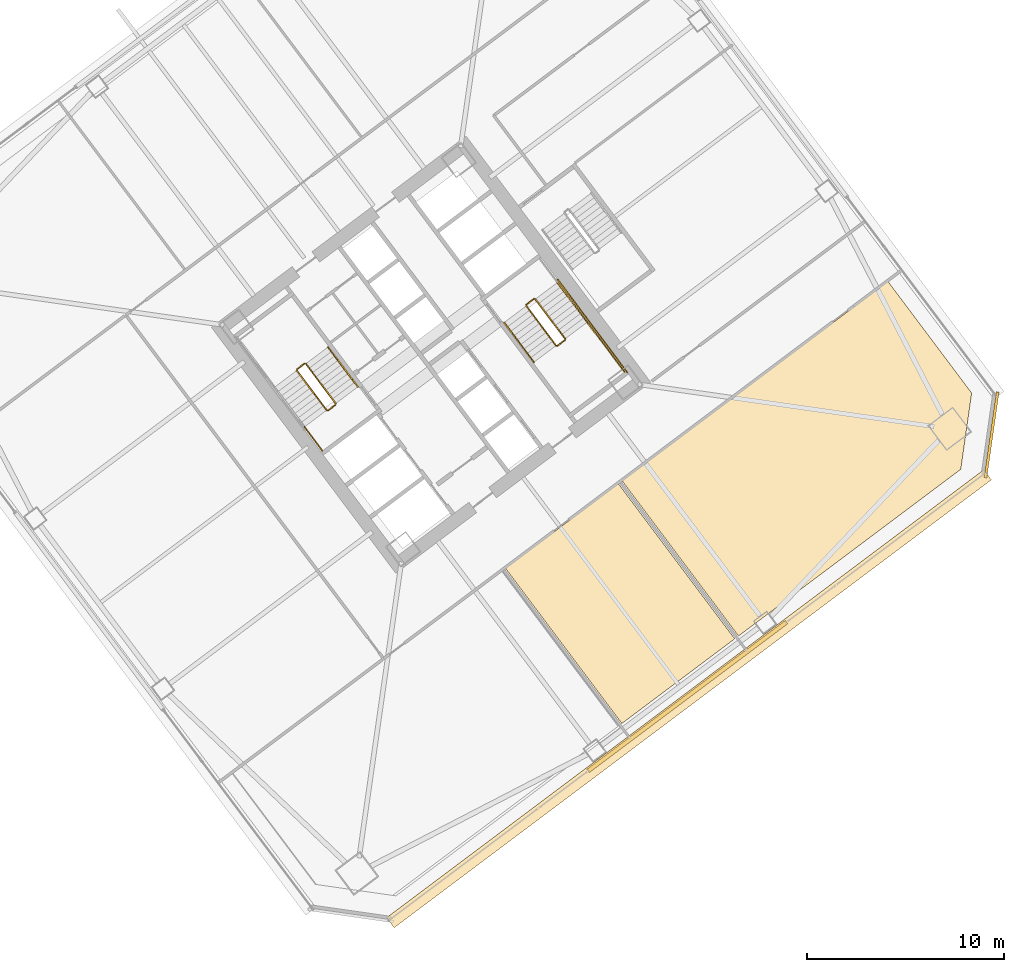
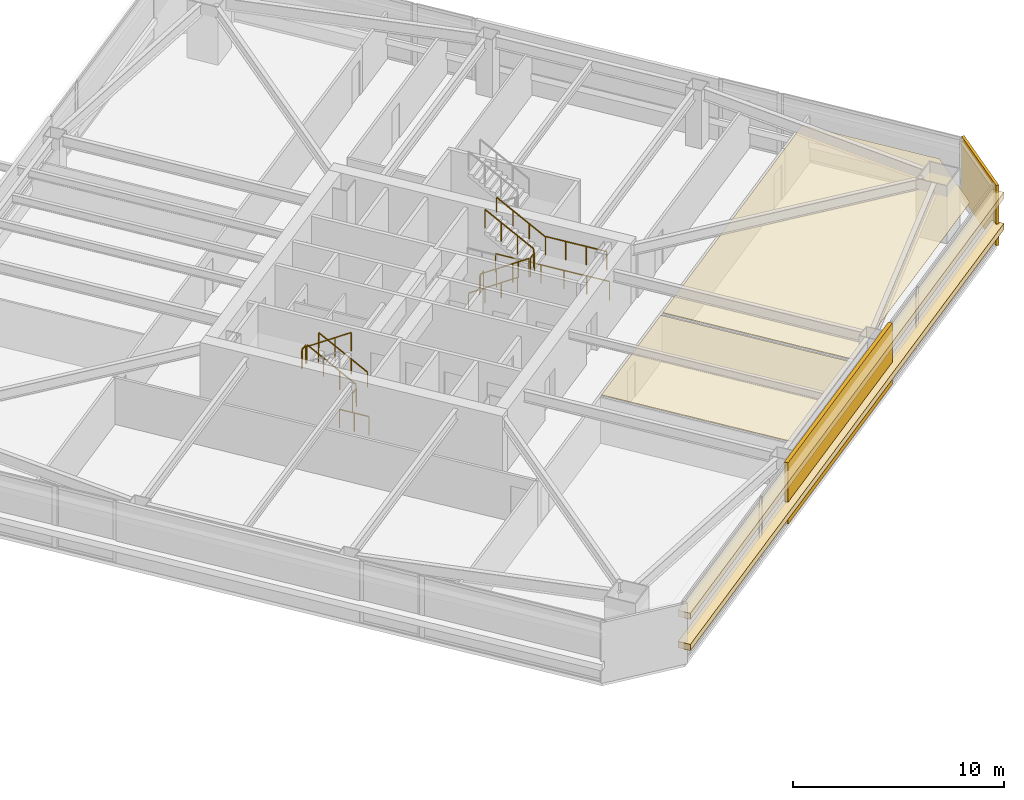
# One storey, part 44 of 46: 14 railings, 6 coverings.
"""IFC4 building model written with IfcOpenShell, lengths in metres."""

from ifc_helpers import new_model, si_unit, direction, frame, origin, origin_2d, place, context, subcontext, project, spatial, polyline, rectangle, outline, extrude, material, layer, layer_set, type_object, element, save


model = new_model("IFC4")

# Units and contexts
model_context = context("Model", 3, precision=1e-05, world=origin(), true_north=direction((0.0, 1.0)))
body_context = subcontext(model_context, "Body", "Model", "MODEL_VIEW")
ifc_project = project(units=[si_unit("LENGTHUNIT", "METRE"), si_unit("AREAUNIT", "SQUARE_METRE"), si_unit("VOLUMEUNIT", "CUBIC_METRE"), si_unit("PLANEANGLEUNIT", "RADIAN"), si_unit("MASSUNIT", "GRAM", prefix="KILO")], contexts=[model_context])

# Site, building, storey
site_placement = place(None, origin())
site = spatial("IfcSite", under=ifc_project, at=site_placement, CompositionType="ELEMENT")
building_placement = place(site_placement, origin())
building = spatial("IfcBuilding", under=site, at=building_placement, Name="Tashvorn Skyway Center", CompositionType="ELEMENT")
storey_placement = place(building_placement, frame((0.0, 0.0, 31.699951171875)))
storey = spatial("IfcBuildingStorey", under=building, at=storey_placement, Name="L07", CompositionType="ELEMENT", Elevation=31.699951171875)

# Coverings
ifc_material_1 = material(Name="Precast concrete C40/50", Category="concrete")
ifc_layer_1 = layer(ifc_material_1, 0.199951171875)
ifc_layer_set_1 = layer_set([ifc_layer_1], Name="Precast concrete C40/50")
covering_type_1 = type_object("IfcCoveringType", Name="COV-BRACE-CLAD", PredefinedType="CLADDING", material=ifc_layer_set_1)
covering_1_placement = place(storey_placement, frame((127.008056640625, 14.656005859375, 0.0), z_axis=(0.0, 0.0, 1.0), x_axis=(-0.799999996291, -0.600000004945, 0.0)))
element("IfcCovering", 1, at=covering_1_placement, inside=storey, type_object=covering_type_1, Name="Tower 2 L07 South Unitised Curtain Wall Mega-Brace Cladding Band 1", PredefinedType="CLADDING", context=body_context, shape_type="SweptSolid", body=[
    extrude(rectangle(XDim=12.586669921875, YDim=0.199951171875, at=origin_2d()), origin(), (0.0, 0.0, 1.0), 3.550048828125),
])
ifc_material_2 = material(Name="Mineral-fibre acoustic ceiling tile on suspended grid")
ifc_layer_2 = layer(ifc_material_2, 0.02001953125)
ifc_layer_set_2 = layer_set([ifc_layer_2], Name="Mineral-fibre acoustic ceiling tile on suspended grid")
covering_type_2 = type_object("IfcCoveringType", Name="COV-CEIL-20", PredefinedType="CEILING", material=ifc_layer_set_2)
covering_2_placement = place(storey_placement, frame((0.0, 0.0, 2.68310546875)))
element("IfcCovering", 2, at=covering_2_placement, inside=storey, type_object=covering_type_2, Name="Tower 2 L07 Catering Pantry Acoustic Ceiling", PredefinedType="CEILING", context=body_context, shape_type="SweptSolid", body=[
    extrude(outline(polyline([(117.780029296875, 21.159912109375), (123.508056640625, 25.4560546875), (129.412109375, 17.583984375), (123.68408203125, 13.2880859375), (117.780029296875, 21.159912109375)])), origin(), (0.0, 0.0, 1.0), 0.02001953125),
])
covering_3_placement = place(storey_placement, frame((0.0, 0.0, 2.68310546875)))
element("IfcCovering", 3, at=covering_3_placement, inside=storey, type_object=covering_type_2, Name="Tower 2 L07 Catering Pantry Acoustic Ceiling", PredefinedType="CEILING", context=body_context, shape_type="SweptSolid", body=[
    extrude(outline(polyline([(129.60400390625, 17.72802734375), (123.699951171875, 25.60009765625), (137.18798828125, 35.716064453125), (141.43603515625, 30.052001953125), (140.884033203125, 26.18798828125), (129.60400390625, 17.72802734375)])), origin(), (0.0, 0.0, 1.0), 0.02001953125),
])
ifc_material_3 = material(Name="Perforated ceramic-coated bronze aluminium solar screen", Category="aluminium")
ifc_layer_3 = layer(ifc_material_3, 0.85009765625)
ifc_layer_set_3 = layer_set([ifc_layer_3], Name="Perforated ceramic-coated bronze aluminium solar screen")
covering_type_3 = type_object("IfcCoveringType", Name="COV-SOLAR-BAND", PredefinedType="CLADDING", material=ifc_layer_set_3)
for number, where, z_axis, x_axis, name in (
    (4, (127.092041015625, 14.5439453125, 0.919921875), (0.0, 0.0, 1.0), (-0.799999996291, -0.600000004945, 0.0), "L07 Perforated Ceramic-Metal Solar Screen Louvre Band South 1"),
    (5, (127.092041015625, 14.5439453125, 2.72021484375), (0.0, 0.0, 1.0), (-0.799999996291, -0.600000004945, 0.0), "L07 Perforated Ceramic-Metal Solar Screen Louvre Band South 2"),
):
    element("IfcCovering", number, at=place(storey_placement, frame(where, z_axis=z_axis, x_axis=x_axis)), inside=storey, type_object=covering_type_3, Name=name, PredefinedType="CLADDING", context=body_context, shape_type="SweptSolid", body=[
        extrude(rectangle(XDim=37.8798828125, YDim=0.639892578125, at=origin_2d()), origin(), (0.0, 0.0, 1.0), 0.360107421875),
    ])
ifc_layer_4 = layer(ifc_material_1, 0.35009765625)
ifc_layer_set_4 = layer_set([ifc_layer_4], Name="Precast concrete C40/50")
covering_type_4 = type_object("IfcCoveringType", Name="COV-STONE-TRIM", PredefinedType="CLADDING", material=ifc_layer_set_4)
covering_4_placement = place(storey_placement, frame((142.447998046875, 27.93603515625, 0.02001953125), z_axis=(0.0, 0.0, 1.0), x_axis=(0.141421350118, 0.989949494535, 0.0)))
element("IfcCovering", 6, at=covering_4_placement, inside=storey, type_object=covering_type_4, Name="Tower 2 L07 SE Mojave Limestone Corner Quoin", PredefinedType="CLADDING", context=body_context, shape_type="SweptSolid", body=[
    extrude(rectangle(XDim=4.402587890625, YDim=0.139892578125, at=origin_2d()), origin(), (0.0, 0.0, 1.0), 3.510009765625),
])

# Railings
ifc_material_4 = material(Name="Brushed stainless steel 316", Category="steel")
railing_type_1 = type_object("IfcRailingType", Name="RAIL-HAND-920", PredefinedType="HANDRAIL", material=ifc_material_4)
railing_1_placement = place(storey_placement, frame((110.2880859375, 30.365966796875, 0.177490234375)))
element("IfcRailing", 7, at=railing_1_placement, inside=storey, type_object=railing_type_1, Name="L07 ST-T2-1 stair handrail 1", PredefinedType="HANDRAIL", context=body_context, shape_type="SweptSolid", body=[
    extrude(rectangle(XDim=0.048095703125, YDim=0.048095703125, at=origin_2d()), frame((0.0, 0.0, 0.8759765625), z_axis=(-0.506779409603, 0.675651334276, 0.53541563714), x_axis=(-0.799976749893, -0.600030998891, 0.0)), (0.0, 0.0, 1.0), 2.98388671875),
    extrude(rectangle(XDim=0.0419921875, YDim=0.0419921875, at=origin_2d()), origin(), (0.0, 0.0, 1.0), 0.851806640625),
    extrude(rectangle(XDim=0.0419921875, YDim=0.0419921875, at=origin_2d()), frame((-0.504150390625, 0.672119140625, 0.532470703125)), (0.0, 0.0, 1.0), 0.851806640625),
    extrude(rectangle(XDim=0.0419921875, YDim=0.0419921875, at=origin_2d()), frame((-1.008056640625, 1.343994140625, 1.065185546875)), (0.0, 0.0, 1.0), 0.851806640625),
    extrude(rectangle(XDim=0.0419921875, YDim=0.0419921875, at=origin_2d()), frame((-1.51220703125, 2.01611328125, 1.59765625)), (0.0, 0.0, 1.0), 0.851806640625),
])
railing_2_placement = place(storey_placement, frame((117.7119140625, 33.634033203125, 0.177490234375)))
element("IfcRailing", 8, at=railing_2_placement, inside=storey, type_object=railing_type_1, Name="L07 ST-T2-2 stair handrail 1", PredefinedType="HANDRAIL", context=body_context, shape_type="SweptSolid", body=[
    extrude(rectangle(XDim=0.048095703125, YDim=0.048095703125, at=origin_2d()), frame((0.0, 0.0, 0.8759765625), z_axis=(0.506779409603, -0.675651334276, 0.53541563714), x_axis=(0.799976749893, 0.600030998891, 0.0)), (0.0, 0.0, 1.0), 2.98388671875),
    extrude(rectangle(XDim=0.0419921875, YDim=0.0419921875, at=origin_2d()), origin(), (0.0, 0.0, 1.0), 0.851806640625),
    extrude(rectangle(XDim=0.0419921875, YDim=0.0419921875, at=origin_2d()), frame((0.504150390625, -0.672119140625, 0.532470703125)), (0.0, 0.0, 1.0), 0.851806640625),
    extrude(rectangle(XDim=0.0419921875, YDim=0.0419921875, at=origin_2d()), frame((1.008056640625, -1.343994140625, 1.065185546875)), (0.0, 0.0, 1.0), 0.851806640625),
    extrude(rectangle(XDim=0.0419921875, YDim=0.0419921875, at=origin_2d()), frame((1.51220703125, -2.01611328125, 1.59765625)), (0.0, 0.0, 1.0), 0.851806640625),
])
railing_3_placement = place(storey_placement, frame((121.927978515625, 33.64599609375, 1.95263671875)))
element("IfcRailing", 9, at=railing_3_placement, inside=storey, type_object=railing_type_1, Name="L07 ST-T2-2 stair handrail 2", PredefinedType="HANDRAIL", context=body_context, shape_type="SweptSolid", body=[
    extrude(rectangle(XDim=0.048095703125, YDim=0.048095703125, at=origin_2d()), frame((0.0, 0.0, 0.8759765625), z_axis=(-0.506740800098, 0.675708949977, 0.535379469569), x_axis=(-0.800023250257, -0.599968998406, 0.0)), (0.0, 0.0, 1.0), 2.983642578125),
    extrude(rectangle(XDim=0.0419921875, YDim=0.0419921875, at=origin_2d()), origin(), (0.0, 0.0, 1.0), 0.851806640625),
    extrude(rectangle(XDim=0.0419921875, YDim=0.0419921875, at=origin_2d()), frame((-0.50390625, 0.672119140625, 0.532470703125)), (0.0, 0.0, 1.0), 0.851806640625),
    extrude(rectangle(XDim=0.0419921875, YDim=0.0419921875, at=origin_2d()), frame((-1.008056640625, 1.343994140625, 1.06494140625)), (0.0, 0.0, 1.0), 0.851806640625),
    extrude(rectangle(XDim=0.0419921875, YDim=0.0419921875, at=origin_2d()), frame((-1.511962890625, 2.01611328125, 1.597412109375)), (0.0, 0.0, 1.0), 0.851806640625),
])
ifc_material_5 = material(Name="Painted galvanized steel S355", Category="steel")
railing_type_2 = type_object("IfcRailingType", Name="RAIL-STGUARD-1100", PredefinedType="GUARDRAIL", material=ifc_material_5)
railing_4_placement = place(storey_placement, frame((109.16796875, 29.52587890625, 0.177490234375)))
element("IfcRailing", 10, at=railing_4_placement, inside=storey, type_object=railing_type_2, Name="L07 ST-T2-1 stair guard 1", PredefinedType="GUARDRAIL", context=body_context, shape_type="SweptSolid", body=[
    extrude(rectangle(XDim=0.048095703125, YDim=0.048095703125, at=origin_2d()), frame((0.0, 0.0, 1.076171875), z_axis=(-0.506718600913, 0.675679348675, 0.535437836974), x_axis=(-0.800023250257, -0.599968998406, 0.0)), (0.0, 0.0, 1.0), 2.98388671875),
    extrude(rectangle(XDim=0.0419921875, YDim=0.0419921875, at=origin_2d()), origin(), (0.0, 0.0, 1.0), 1.052001953125),
    extrude(rectangle(XDim=0.0419921875, YDim=0.0419921875, at=origin_2d()), frame((-0.50390625, 0.672119140625, 0.532470703125)), (0.0, 0.0, 1.0), 1.052001953125),
    extrude(rectangle(XDim=0.0419921875, YDim=0.0419921875, at=origin_2d()), frame((-1.008056640625, 1.343994140625, 1.065185546875)), (0.0, 0.0, 1.0), 1.052001953125),
    extrude(rectangle(XDim=0.0419921875, YDim=0.0419921875, at=origin_2d()), frame((-1.511962890625, 2.01611328125, 1.59765625)), (0.0, 0.0, 1.0), 1.052001953125),
])
railing_5_placement = place(storey_placement, frame((107.5859375, 31.552001953125, 1.775146484375)))
element("IfcRailing", 11, at=railing_5_placement, inside=storey, type_object=railing_type_2, Name="L07 ST-T2-1 stair guard 2", PredefinedType="GUARDRAIL", context=body_context, shape_type="SweptSolid", body=[
    extrude(rectangle(XDim=0.048095703125, YDim=0.048095703125, at=origin_2d()), frame((0.0, 0.0, 1.076171875), z_axis=(-0.799938970639, -0.600081363861, 0.0), x_axis=(0.600081363861, -0.799938970639, 0.0)), (0.0, 0.0, 1.0), 0.47998046875),
    extrude(rectangle(XDim=0.0419921875, YDim=0.0419921875, at=origin_2d()), origin(), (0.0, 0.0, 1.0), 1.052001953125),
    extrude(rectangle(XDim=0.0419921875, YDim=0.0419921875, at=origin_2d()), frame((-0.384033203125, -0.2880859375, 0.0)), (0.0, 0.0, 1.0), 1.052001953125),
])
railing_6_placement = place(storey_placement, frame((107.19189453125, 31.194091796875, 1.95263671875)))
element("IfcRailing", 12, at=railing_6_placement, inside=storey, type_object=railing_type_2, Name="L07 ST-T2-1 stair guard 4", PredefinedType="GUARDRAIL", context=body_context, shape_type="SweptSolid", body=[
    extrude(rectangle(XDim=0.048095703125, YDim=0.048095703125, at=origin_2d()), frame((0.0, 0.0, 1.076171875), z_axis=(0.506801609611, -0.675680931896, 0.535357270211), x_axis=(0.799976749893, 0.600030998891, 0.0)), (0.0, 0.0, 1.0), 2.98388671875),
    extrude(rectangle(XDim=0.0419921875, YDim=0.0419921875, at=origin_2d()), origin(), (0.0, 0.0, 1.0), 1.052001953125),
    extrude(rectangle(XDim=0.0419921875, YDim=0.0419921875, at=origin_2d()), frame((0.504150390625, -0.672119140625, 0.532470703125)), (0.0, 0.0, 1.0), 1.052001953125),
    extrude(rectangle(XDim=0.0419921875, YDim=0.0419921875, at=origin_2d()), frame((1.008056640625, -1.343994140625, 1.06494140625)), (0.0, 0.0, 1.0), 1.052001953125),
    extrude(rectangle(XDim=0.0419921875, YDim=0.0419921875, at=origin_2d()), frame((1.51220703125, -2.01611328125, 1.597412109375)), (0.0, 0.0, 1.0), 1.052001953125),
])
railing_7_placement = place(storey_placement, frame((109.157958984375, 29.4560546875, 0.0)))
element("IfcRailing", 13, at=railing_7_placement, inside=storey, type_object=railing_type_2, Name="L07 ST-T2-1 stair guard 5", PredefinedType="GUARDRAIL", context=body_context, shape_type="SweptSolid", body=[
    extrude(rectangle(XDim=0.048095703125, YDim=0.048095703125, at=origin_2d()), frame((0.0, 0.0, 1.076171875), z_axis=(-0.799938970639, -0.600081363861, 0.0), x_axis=(0.600081363861, -0.799938970639, 0.0)), (0.0, 0.0, 1.0), 0.47998046875),
    extrude(rectangle(XDim=0.0419921875, YDim=0.0419921875, at=origin_2d()), origin(), (0.0, 0.0, 1.0), 1.052001953125),
    extrude(rectangle(XDim=0.0419921875, YDim=0.0419921875, at=origin_2d()), frame((-0.384033203125, -0.2880859375, 0.0)), (0.0, 0.0, 1.0), 1.052001953125),
])
railing_8_placement = place(storey_placement, frame((108.49609375, 27.1220703125, 0.0)))
element("IfcRailing", 14, at=railing_8_placement, inside=storey, type_object=railing_type_2, Name="L07 ST-T2-1 stair guard 6", PredefinedType="GUARDRAIL", context=body_context, shape_type="SweptSolid", body=[
    extrude(rectangle(XDim=0.048095703125, YDim=0.048095703125, at=origin_2d()), frame((0.0, 0.0, 1.076171875), z_axis=(-0.600102796382, 0.799922892393, 0.0), x_axis=(-0.799922892393, -0.600102796382, 0.0)), (0.0, 0.0, 1.0), 1.52001953125),
    extrude(rectangle(XDim=0.0419921875, YDim=0.0419921875, at=origin_2d()), origin(), (0.0, 0.0, 1.0), 1.052001953125),
    extrude(rectangle(XDim=0.0419921875, YDim=0.0419921875, at=origin_2d()), frame((-0.4560546875, 0.60791015625, 0.0)), (0.0, 0.0, 1.0), 1.052001953125),
    extrude(rectangle(XDim=0.0419921875, YDim=0.0419921875, at=origin_2d()), frame((-0.912109375, 1.2158203125, 0.0)), (0.0, 0.0, 1.0), 1.052001953125),
])
railing_9_placement = place(storey_placement, frame((118.83203125, 34.47412109375, 0.177490234375)))
element("IfcRailing", 15, at=railing_9_placement, inside=storey, type_object=railing_type_2, Name="L07 ST-T2-2 stair guard 1", PredefinedType="GUARDRAIL", context=body_context, shape_type="SweptSolid", body=[
    extrude(rectangle(XDim=0.048095703125, YDim=0.048095703125, at=origin_2d()), frame((0.0, 0.0, 1.076171875), z_axis=(0.506718600913, -0.675679348675, 0.535437836974), x_axis=(0.800023250257, 0.599968998406, 0.0)), (0.0, 0.0, 1.0), 2.98388671875),
    extrude(rectangle(XDim=0.0419921875, YDim=0.0419921875, at=origin_2d()), origin(), (0.0, 0.0, 1.0), 1.052001953125),
    extrude(rectangle(XDim=0.0419921875, YDim=0.0419921875, at=origin_2d()), frame((0.50390625, -0.672119140625, 0.532470703125)), (0.0, 0.0, 1.0), 1.052001953125),
    extrude(rectangle(XDim=0.0419921875, YDim=0.0419921875, at=origin_2d()), frame((1.008056640625, -1.343994140625, 1.065185546875)), (0.0, 0.0, 1.0), 1.052001953125),
    extrude(rectangle(XDim=0.0419921875, YDim=0.0419921875, at=origin_2d()), frame((1.511962890625, -2.01611328125, 1.59765625)), (0.0, 0.0, 1.0), 1.052001953125),
])
railing_10_placement = place(storey_placement, frame((120.4140625, 32.447998046875, 1.775146484375)))
element("IfcRailing", 16, at=railing_10_placement, inside=storey, type_object=railing_type_2, Name="L07 ST-T2-2 stair guard 2", PredefinedType="GUARDRAIL", context=body_context, shape_type="SweptSolid", body=[
    extrude(rectangle(XDim=0.048095703125, YDim=0.048095703125, at=origin_2d()), frame((0.0, 0.0, 1.076171875), z_axis=(0.799938970639, 0.600081363861, 0.0), x_axis=(-0.600081363861, 0.799938970639, 0.0)), (0.0, 0.0, 1.0), 0.47998046875),
    extrude(rectangle(XDim=0.0419921875, YDim=0.0419921875, at=origin_2d()), origin(), (0.0, 0.0, 1.0), 1.052001953125),
    extrude(rectangle(XDim=0.0419921875, YDim=0.0419921875, at=origin_2d()), frame((0.384033203125, 0.2880859375, 0.0)), (0.0, 0.0, 1.0), 1.052001953125),
])
railing_11_placement = place(storey_placement, frame((121.927978515625, 33.64599609375, 1.775146484375)))
element("IfcRailing", 17, at=railing_11_placement, inside=storey, type_object=railing_type_2, Name="L07 ST-T2-2 stair guard 3", PredefinedType="GUARDRAIL", context=body_context, shape_type="SweptSolid", body=[
    extrude(rectangle(XDim=0.048095703125, YDim=0.048095703125, at=origin_2d()), frame((0.0, 0.0, 1.076171875), z_axis=(0.599987638607, -0.800009270896, 0.0), x_axis=(0.800009270896, 0.599987638607, 0.0)), (0.0, 0.0, 1.0), 3.16015625),
    extrude(rectangle(XDim=0.0419921875, YDim=0.0419921875, at=origin_2d()), origin(), (0.0, 0.0, 1.0), 1.052001953125),
    extrude(rectangle(XDim=0.0419921875, YDim=0.0419921875, at=origin_2d()), frame((0.632080078125, -0.8427734375, 0.0)), (0.0, 0.0, 1.0), 1.052001953125),
    extrude(rectangle(XDim=0.0419921875, YDim=0.0419921875, at=origin_2d()), frame((1.263916015625, -1.685302734375, 0.0)), (0.0, 0.0, 1.0), 1.052001953125),
    extrude(rectangle(XDim=0.0419921875, YDim=0.0419921875, at=origin_2d()), frame((1.89599609375, -2.528076171875, 0.0)), (0.0, 0.0, 1.0), 1.052001953125),
])
railing_12_placement = place(storey_placement, frame((120.80810546875, 32.805908203125, 1.95263671875)))
element("IfcRailing", 18, at=railing_12_placement, inside=storey, type_object=railing_type_2, Name="L07 ST-T2-2 stair guard 4", PredefinedType="GUARDRAIL", context=body_context, shape_type="SweptSolid", body=[
    extrude(rectangle(XDim=0.048095703125, YDim=0.048095703125, at=origin_2d()), frame((0.0, 0.0, 1.076171875), z_axis=(-0.506801609611, 0.675680931896, 0.535357270211), x_axis=(-0.799976749893, -0.600030998891, 0.0)), (0.0, 0.0, 1.0), 2.98388671875),
    extrude(rectangle(XDim=0.0419921875, YDim=0.0419921875, at=origin_2d()), origin(), (0.0, 0.0, 1.0), 1.052001953125),
    extrude(rectangle(XDim=0.0419921875, YDim=0.0419921875, at=origin_2d()), frame((-0.504150390625, 0.672119140625, 0.532470703125)), (0.0, 0.0, 1.0), 1.052001953125),
    extrude(rectangle(XDim=0.0419921875, YDim=0.0419921875, at=origin_2d()), frame((-1.008056640625, 1.343994140625, 1.06494140625)), (0.0, 0.0, 1.0), 1.052001953125),
    extrude(rectangle(XDim=0.0419921875, YDim=0.0419921875, at=origin_2d()), frame((-1.51220703125, 2.01611328125, 1.597412109375)), (0.0, 0.0, 1.0), 1.052001953125),
])
railing_13_placement = place(storey_placement, frame((118.842041015625, 34.5439453125, 0.0)))
element("IfcRailing", 19, at=railing_13_placement, inside=storey, type_object=railing_type_2, Name="L07 ST-T2-2 stair guard 5", PredefinedType="GUARDRAIL", context=body_context, shape_type="SweptSolid", body=[
    extrude(rectangle(XDim=0.048095703125, YDim=0.048095703125, at=origin_2d()), frame((0.0, 0.0, 1.076171875), z_axis=(0.799938970639, 0.600081363861, 0.0), x_axis=(-0.600081363861, 0.799938970639, 0.0)), (0.0, 0.0, 1.0), 0.47998046875),
    extrude(rectangle(XDim=0.0419921875, YDim=0.0419921875, at=origin_2d()), origin(), (0.0, 0.0, 1.0), 1.052001953125),
    extrude(rectangle(XDim=0.0419921875, YDim=0.0419921875, at=origin_2d()), frame((0.384033203125, 0.2880859375, 0.0)), (0.0, 0.0, 1.0), 1.052001953125),
])
railing_14_placement = place(storey_placement, frame((120.43603515625, 35.802001953125, 0.0)))
element("IfcRailing", 20, at=railing_14_placement, inside=storey, type_object=railing_type_2, Name="L07 ST-T2-2 stair guard 7", PredefinedType="GUARDRAIL", context=body_context, shape_type="SweptSolid", body=[
    extrude(rectangle(XDim=0.048095703125, YDim=0.048095703125, at=origin_2d()), frame((0.0, 0.0, 1.076171875), z_axis=(0.6, -0.8, 0.0), x_axis=(0.8, 0.6, 0.0)), (0.0, 0.0, 1.0), 5.880126953125),
    extrude(rectangle(XDim=0.0419921875, YDim=0.0419921875, at=origin_2d()), origin(), (0.0, 0.0, 1.0), 1.052001953125),
    extrude(rectangle(XDim=0.0419921875, YDim=0.0419921875, at=origin_2d()), frame((0.70556640625, -0.94091796875, 0.0)), (0.0, 0.0, 1.0), 1.052001953125),
    extrude(rectangle(XDim=0.0419921875, YDim=0.0419921875, at=origin_2d()), frame((1.4111328125, -1.881591796875, 0.0)), (0.0, 0.0, 1.0), 1.052001953125),
    extrude(rectangle(XDim=0.0419921875, YDim=0.0419921875, at=origin_2d()), frame((2.116943359375, -2.822509765625, 0.0)), (0.0, 0.0, 1.0), 1.052001953125),
    extrude(rectangle(XDim=0.0419921875, YDim=0.0419921875, at=origin_2d()), frame((2.822509765625, -3.76318359375, 0.0)), (0.0, 0.0, 1.0), 1.052001953125),
    extrude(rectangle(XDim=0.0419921875, YDim=0.0419921875, at=origin_2d()), frame((3.528076171875, -4.7041015625, 0.0)), (0.0, 0.0, 1.0), 1.052001953125),
])

save(model, "model.ifc")
